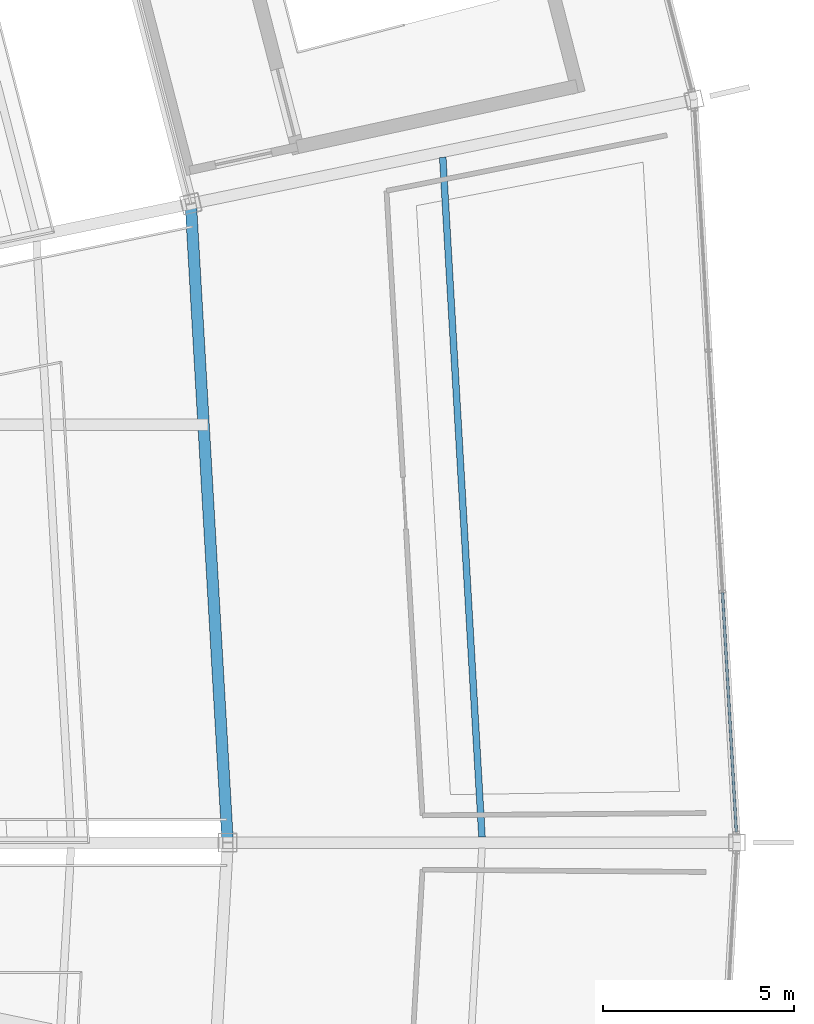
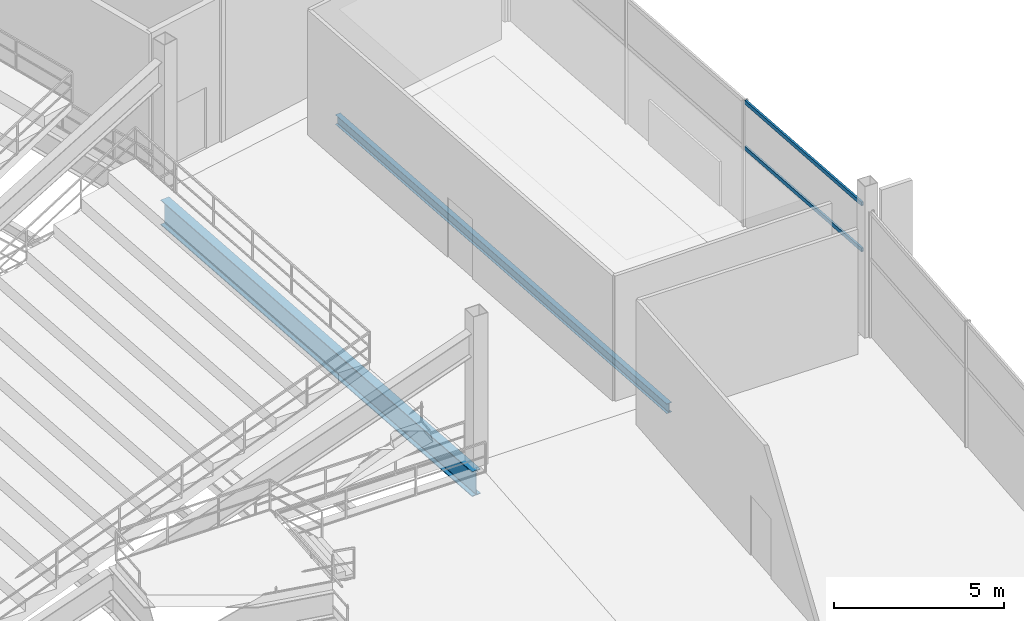
# One storey, part 74 of 186: 2 beams, 2 members, 1 element without a shape of its own.
"""IFC4 building model written with IfcOpenShell, lengths in metres."""

from ifc_helpers import new_model, si_unit, direction, frame, origin, origin_2d, place, context, subcontext, project, spatial, hollow_rectangle, i_section, extrude, material, layer, layer_set, material_profile, profile_set, type_object, element, aggregate, save


model = new_model("IFC4")

# Units and contexts
model_context = context("Model", 3, precision=1e-05, world=origin(), true_north=direction((0.0, 1.0)))
body_context = subcontext(model_context, "Body", "Model", "MODEL_VIEW")
ifc_project = project(units=[si_unit("LENGTHUNIT", "METRE"), si_unit("AREAUNIT", "SQUARE_METRE"), si_unit("VOLUMEUNIT", "CUBIC_METRE"), si_unit("PLANEANGLEUNIT", "RADIAN"), si_unit("MASSUNIT", "GRAM", prefix="KILO")], contexts=[model_context])

# Site, building, storey
site_placement = place(None, origin())
site = spatial("IfcSite", under=ifc_project, at=site_placement, CompositionType="ELEMENT")
building_placement = place(site_placement, origin())
building = spatial("IfcBuilding", under=site, at=building_placement, Name="Kazemori Nagisa Stadium", CompositionType="ELEMENT")
storey_placement = place(building_placement, frame((0.0, 0.0, 20.39990234375)))
storey = spatial("IfcBuildingStorey", under=building, at=storey_placement, Name="L04", CompositionType="ELEMENT", Elevation=20.39990234375)

# Beams
ifc_material_1 = material(Name="Steel SN490B", Category="steel")
ifc_material_profile_1 = material_profile(ifc_material_1, i_section(OverallWidth=0.300048828125, OverallDepth=0.89990234375, WebThickness=0.01611328125, FlangeThickness=0.028076171875, FilletRadius=0.01806640625, at=origin_2d()), Name="H-900x300x16x28")
ifc_profile_set_1 = profile_set([ifc_material_profile_1], Name="Steel SN490B")
beam_type_1 = type_object("IfcBeamType", Name="Beam_BG-H900", PredefinedType="BEAM", material=ifc_profile_set_1)
beam_1_placement = place(storey_placement, frame((204.699951171875, 102.0, -0.75), z_axis=(-0.057594854854, 0.998340038611, 0.0), x_axis=(-0.998340038611, -0.057594854854, 0.0)))
element("IfcBeam", 1, at=beam_1_placement, inside=storey, type_object=beam_type_1, Name="Ring girder BG-H900 L04 R2-01", PredefinedType="BEAM", context=body_context, shape_type="SweptSolid", body=[
    extrude(i_section(OverallWidth=0.300048828125, OverallDepth=0.89990234375, WebThickness=0.01611328125, FlangeThickness=0.028076171875, FilletRadius=0.01806640625, at=origin_2d()), origin(), (0.0, 0.0, 1.0), 16.7099609375),
])
ifc_material_profile_2 = material_profile(ifc_material_1, i_section(OverallWidth=0.175048828125, OverallDepth=0.35009765625, WebThickness=0.007080078125, FlangeThickness=0.010986328125, FilletRadius=0.012939453125, at=origin_2d()), Name="H-350x175x7x11")
ifc_profile_set_2 = profile_set([ifc_material_profile_2], Name="Steel SN490B")
beam_type_2 = type_object("IfcBeamType", Name="Beam_BJ-H350", PredefinedType="JOIST", material=ifc_profile_set_2)
beam_2_placement = place(storey_placement, frame((211.341552734375, 102.144775390625, -0.474853515625), z_axis=(-0.057603114818, 0.998339562055, 0.0), x_axis=(-0.998339562055, -0.057603114818, 0.0)))
element("IfcBeam", 2, at=beam_2_placement, inside=storey, type_object=beam_type_2, Name="Outer bay joist BJ-H350 L04 B01", PredefinedType="JOIST", context=body_context, shape_type="SweptSolid", body=[
    extrude(i_section(OverallWidth=0.175048828125, OverallDepth=0.35009765625, WebThickness=0.007080078125, FlangeThickness=0.010986328125, FilletRadius=0.012939453125, at=origin_2d()), origin(), (0.0, 0.0, 1.0), 17.77978515625),
])

# Curtain wall, members
ifc_material_2 = material(Name="Anodised aluminium 6063-T5", Category="aluminium")
ifc_layer = layer(ifc_material_2, 0.179931640625, Name="Anodised aluminium 6063-T5", Category="aluminium")
ifc_layer_set = layer_set([ifc_layer], Name="Anodised aluminium 6063-T5")
curtain_wall_type = type_object("IfcCurtainWallType", Name="CW_L04R3_95", PredefinedType="USERDEFINED", material=ifc_layer_set)
curtain_wall_placement = place(storey_placement, origin())
curtain_wall = element("IfcCurtainWall", 3, at=curtain_wall_placement, inside=storey, type_object=curtain_wall_type, Name="Unitised curtain wall CW-L04R3-95 L04", ObjectType="UNITISED CURTAIN WALL", PredefinedType="USERDEFINED")
ifc_material_3 = material(Name="Aluminium 6063-T5 anodised", Category="aluminium")
ifc_material_profile_3 = material_profile(ifc_material_3, hollow_rectangle(XDim=0.070068359375, YDim=0.139892578125, WallThickness=0.00390625, at=origin_2d()), Name="ALU-TRAN-70x140x4")
ifc_profile_set_3 = profile_set([ifc_material_profile_3], Name="Aluminium 6063-T5 anodised")
member_type = type_object("IfcMemberType", Name="Transom_T01", PredefinedType="USERDEFINED", material=ifc_profile_set_3)
member_1_placement = place(storey_placement, frame((217.984130859375, 102.274658203125, 2.80859375), z_axis=(-0.057582347061, 0.998340760115, 0.0), x_axis=(-0.998340760115, -0.057582347061, 0.0)))
member_1 = element("IfcMember", 4, at=member_1_placement, type_object=member_type, Name="Curtain wall transom CW-L04R3-95-T1-mid", ObjectType="TRANSOM", PredefinedType="USERDEFINED", context=body_context, shape_type="SweptSolid", body=[
    extrude(hollow_rectangle(XDim=0.070068359375, YDim=0.139892578125, WallThickness=0.00390625, at=origin_2d()), origin(), (0.0, 0.0, 1.0), 6.2666015625),
])
member_2_placement = place(storey_placement, frame((217.984130859375, 102.274658203125, 4.460205078125), z_axis=(-0.057582347061, 0.998340760115, 0.0), x_axis=(-0.998340760115, -0.057582347061, 0.0)))
member_2 = element("IfcMember", 5, at=member_2_placement, type_object=member_type, Name="Curtain wall transom CW-L04R3-95-T1-head", ObjectType="TRANSOM", PredefinedType="USERDEFINED", context=body_context, shape_type="SweptSolid", body=[
    extrude(hollow_rectangle(XDim=0.070068359375, YDim=0.139892578125, WallThickness=0.00390625, at=origin_2d()), origin(), (0.0, 0.0, 1.0), 6.2666015625),
])
aggregate(curtain_wall, [member_1, member_2])

save(model, "model.ifc")
